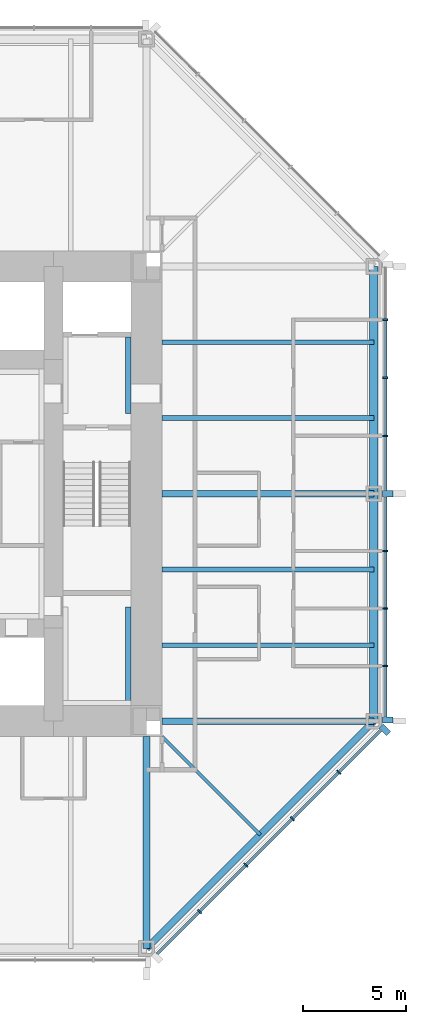
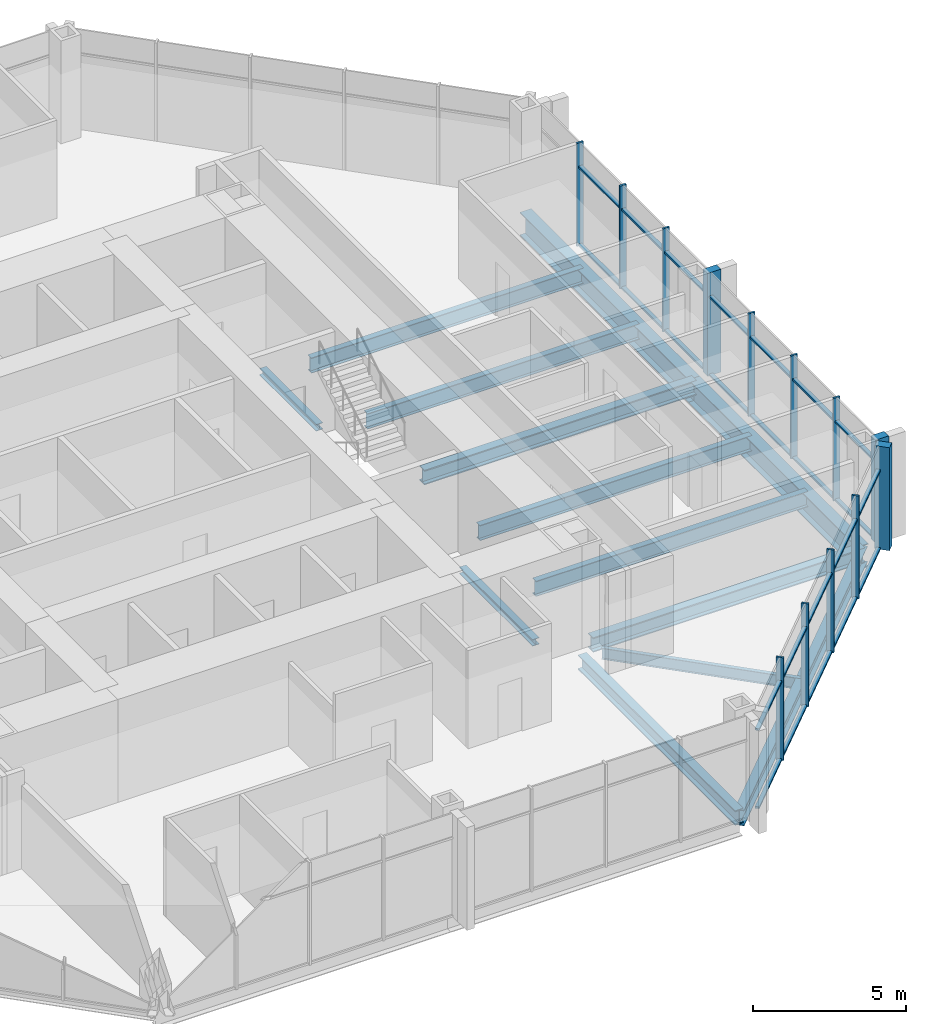
# One storey, part 4 of 12: 37 members, 13 beams, 2 elements without a shape of their own.
"""IFC4 building model written with IfcOpenShell, lengths in metres."""

from ifc_helpers import new_model, si_unit, direction, frame, origin, origin_2d, place, context, subcontext, project, spatial, rectangle, i_section, extrude, material, material_profile, profile_set, type_object, element, aggregate, save


model = new_model("IFC4")

# Units and contexts
model_context = context("Model", 3, precision=1e-05, world=origin(), true_north=direction((0.0, 1.0)))
body_context = subcontext(model_context, "Body", "Model", "MODEL_VIEW")
ifc_project = project(units=[si_unit("LENGTHUNIT", "METRE"), si_unit("AREAUNIT", "SQUARE_METRE"), si_unit("VOLUMEUNIT", "CUBIC_METRE"), si_unit("PLANEANGLEUNIT", "RADIAN"), si_unit("MASSUNIT", "GRAM", prefix="KILO")], contexts=[model_context])

# Site, building, storey
site_placement = place(None, origin())
site = spatial("IfcSite", under=ifc_project, at=site_placement, CompositionType="ELEMENT")
building_placement = place(site_placement, origin())
building = spatial("IfcBuilding", under=site, at=building_placement, Name="Trevanion Tower", CompositionType="ELEMENT")
storey_placement = place(building_placement, frame((0.0, 0.0, 113.10009765625)))
storey = spatial("IfcBuildingStorey", under=building, at=storey_placement, Name="L26", CompositionType="ELEMENT", Elevation=113.10009765625)

# Beams
ifc_material_1 = material(Name="Steel ASTM A992 Grade 50", Category="steel")
ifc_material_profile_1 = material_profile(ifc_material_1, i_section(OverallWidth=0.22900390625, OverallDepth=0.612060546875, WebThickness=0.011962890625, FlangeThickness=0.01953125, at=origin_2d()), Name="W24X84")
ifc_profile_set_1 = profile_set([ifc_material_profile_1], Name="Steel ASTM A992 Grade 50")
beam_type_1 = type_object("IfcBeamType", Name="B7 W24X84", PredefinedType="BEAM", material=ifc_profile_set_1)
for number, where, z_axis, x_axis, name in (
    (1, (11.75, -7.333251953125, -0.49609375), (1.0, 0.0, 0.0), (0.0, 1.0, 0.0), "B7 L26"),
    (2, (11.75, -3.666748046875, -0.49609375), (1.0, 0.0, 0.0), (0.0, 1.0, 0.0), "B7 L26"),
    (3, (11.75, 3.666748046875, -0.49609375), (1.0, 0.0, 0.0), (0.0, 1.0, 0.0), "B7 L26"),
    (4, (11.75, 7.333251953125, -0.49609375), (1.0, 0.0, 0.0), (0.0, 1.0, 0.0), "B7 L26"),
):
    element("IfcBeam", number, at=place(storey_placement, frame(where, z_axis=z_axis, x_axis=x_axis)), inside=storey, type_object=beam_type_1, Name=name, PredefinedType="BEAM", context=body_context, shape_type="SweptSolid", body=[
        extrude(i_section(OverallWidth=0.22900390625, OverallDepth=0.612060546875, WebThickness=0.011962890625, FlangeThickness=0.01953125, at=origin_2d()), origin(), (0.0, 0.0, 1.0), 10.25),
    ])
ifc_material_2 = material(Name="Steel ASTM A992 Grade 50", Category="steel")
ifc_material_profile_2 = material_profile(ifc_material_2, i_section(OverallWidth=0.15234375, OverallDepth=0.449462890625, WebThickness=0.007568359375, FlangeThickness=0.0107421875, at=origin_2d()), Name="W18X35")
ifc_profile_set_2 = profile_set([ifc_material_profile_2], Name="Steel ASTM A992 Grade 50")
beam_type_2 = type_object("IfcBeamType", Name="B8 W18X35", PredefinedType="BEAM", material=ifc_profile_set_2)
beam_1_placement = place(storey_placement, frame((11.75, -11.75, -0.414794921875), z_axis=(0.707106781187, -0.707106781187, 0.0), x_axis=(0.707106781187, 0.707106781187, 0.0)))
element("IfcBeam", 5, at=beam_1_placement, inside=storey, type_object=beam_type_2, Name="B8 L26", PredefinedType="BEAM", context=body_context, shape_type="SweptSolid", body=[
    extrude(i_section(OverallWidth=0.15234375, OverallDepth=0.449462890625, WebThickness=0.007568359375, FlangeThickness=0.0107421875, at=origin_2d()), origin(), (0.0, 0.0, 1.0), 6.717529296875),
])

# Curtain wall, members
ifc_material_3 = material(Name="Aluminium and glass", Category="aluminium")
curtain_wall_type = type_object("IfcCurtainWallType", Name="CW2 curtain wall", PredefinedType="USERDEFINED", material=ifc_material_3)
curtain_wall_1_placement = place(storey_placement, origin())
curtain_wall_1 = element("IfcCurtainWall", 6, at=curtain_wall_1_placement, inside=storey, type_object=curtain_wall_type, Name="CW2 L26 0", ObjectType="UNITISED CURTAIN WALL", PredefinedType="USERDEFINED")
ifc_material_4 = material(Name="Aluminium extrusion, anodised bronze", Category="aluminium")
ifc_material_profile_3 = material_profile(ifc_material_4, rectangle(XDim=0.074951171875, YDim=0.25, at=origin_2d()), Name="CW2 mullion")
ifc_profile_set_3 = profile_set([ifc_material_profile_3], Name="Aluminium extrusion, anodised bronze")
member_type_1 = type_object("IfcMemberType", Name="CW2 mullion", PredefinedType="MULLION", material=ifc_profile_set_3)
member_1_placement = place(storey_placement, frame((22.550048828125, -8.323486328125, -0.190185546875), z_axis=(0.0, 0.0, 1.0), x_axis=(0.0, 1.0, 0.0)))
member_1 = element("IfcMember", 7, at=member_1_placement, type_object=member_type_1, Name="CW2 mullion 2", PredefinedType="MULLION", context=body_context, shape_type="SweptSolid", body=[
    extrude(rectangle(XDim=0.074951171875, YDim=0.25, at=origin_2d()), origin(), (0.0, 0.0, 1.0), 4.10009765625),
])
member_2_placement = place(storey_placement, frame((22.550048828125, -5.548828125, -0.190185546875), z_axis=(0.0, 0.0, 1.0), x_axis=(0.0, 1.0, 0.0)))
member_2 = element("IfcMember", 8, at=member_2_placement, type_object=member_type_1, Name="CW2 mullion 3", PredefinedType="MULLION", context=body_context, shape_type="SweptSolid", body=[
    extrude(rectangle(XDim=0.074951171875, YDim=0.25, at=origin_2d()), origin(), (0.0, 0.0, 1.0), 4.10009765625),
])
member_3_placement = place(storey_placement, frame((22.550048828125, -2.7744140625, -0.190185546875), z_axis=(0.0, 0.0, 1.0), x_axis=(0.0, 1.0, 0.0)))
member_3 = element("IfcMember", 9, at=member_3_placement, type_object=member_type_1, Name="CW2 mullion 4", PredefinedType="MULLION", context=body_context, shape_type="SweptSolid", body=[
    extrude(rectangle(XDim=0.074951171875, YDim=0.25, at=origin_2d()), origin(), (0.0, 0.0, 1.0), 4.10009765625),
])
member_4_placement = place(storey_placement, frame((22.550048828125, 2.806884765625, -0.190185546875), z_axis=(0.0, 0.0, 1.0), x_axis=(0.0, 1.0, 0.0)))
member_4 = element("IfcMember", 10, at=member_4_placement, type_object=member_type_1, Name="CW2 mullion 6", PredefinedType="MULLION", context=body_context, shape_type="SweptSolid", body=[
    extrude(rectangle(XDim=0.074951171875, YDim=0.25, at=origin_2d()), origin(), (0.0, 0.0, 1.0), 4.10009765625),
])
member_5_placement = place(storey_placement, frame((22.550048828125, 5.614013671875, -0.190185546875), z_axis=(0.0, 0.0, 1.0), x_axis=(0.0, 1.0, 0.0)))
member_5 = element("IfcMember", 11, at=member_5_placement, type_object=member_type_1, Name="CW2 mullion 7", PredefinedType="MULLION", context=body_context, shape_type="SweptSolid", body=[
    extrude(rectangle(XDim=0.074951171875, YDim=0.25, at=origin_2d()), origin(), (0.0, 0.0, 1.0), 4.10009765625),
])
member_6_placement = place(storey_placement, frame((22.550048828125, 8.4208984375, -0.190185546875), z_axis=(0.0, 0.0, 1.0), x_axis=(0.0, 1.0, 0.0)))
member_6 = element("IfcMember", 12, at=member_6_placement, type_object=member_type_1, Name="CW2 mullion 8", PredefinedType="MULLION", context=body_context, shape_type="SweptSolid", body=[
    extrude(rectangle(XDim=0.074951171875, YDim=0.25, at=origin_2d()), origin(), (0.0, 0.0, 1.0), 4.10009765625),
])

curtain_wall_2_placement = place(storey_placement, origin())
curtain_wall_2 = element("IfcCurtainWall", 13, at=curtain_wall_2_placement, inside=storey, type_object=curtain_wall_type, Name="CW2 L26 7", ObjectType="UNITISED CURTAIN WALL", PredefinedType="USERDEFINED")
member_7_placement = place(storey_placement, frame((13.56591796875, -20.2119140625, -0.190185546875), z_axis=(0.0, 0.0, 1.0), x_axis=(0.707106781187, 0.707106781187, 0.0)))
member_7 = element("IfcMember", 14, at=member_7_placement, type_object=member_type_1, Name="CW2 mullion 2", PredefinedType="MULLION", context=body_context, shape_type="SweptSolid", body=[
    extrude(rectangle(XDim=0.074951171875, YDim=0.25, at=origin_2d()), origin(), (0.0, 0.0, 1.0), 4.10009765625),
])
member_8_placement = place(storey_placement, frame((15.811767578125, -17.966064453125, -0.190185546875), z_axis=(0.0, 0.0, 1.0), x_axis=(0.707106781187, 0.707106781187, 0.0)))
member_8 = element("IfcMember", 15, at=member_8_placement, type_object=member_type_1, Name="CW2 mullion 3", PredefinedType="MULLION", context=body_context, shape_type="SweptSolid", body=[
    extrude(rectangle(XDim=0.074951171875, YDim=0.25, at=origin_2d()), origin(), (0.0, 0.0, 1.0), 4.10009765625),
])
member_9_placement = place(storey_placement, frame((18.057861328125, -15.719970703125, -0.190185546875), z_axis=(0.0, 0.0, 1.0), x_axis=(0.707106781187, 0.707106781187, 0.0)))
member_9 = element("IfcMember", 16, at=member_9_placement, type_object=member_type_1, Name="CW2 mullion 4", PredefinedType="MULLION", context=body_context, shape_type="SweptSolid", body=[
    extrude(rectangle(XDim=0.074951171875, YDim=0.25, at=origin_2d()), origin(), (0.0, 0.0, 1.0), 4.10009765625),
])
member_10_placement = place(storey_placement, frame((20.303955078125, -13.473876953125, -0.190185546875), z_axis=(0.0, 0.0, 1.0), x_axis=(0.707106781187, 0.707106781187, 0.0)))
member_10 = element("IfcMember", 17, at=member_10_placement, type_object=member_type_1, Name="CW2 mullion 5", PredefinedType="MULLION", context=body_context, shape_type="SweptSolid", body=[
    extrude(rectangle(XDim=0.074951171875, YDim=0.25, at=origin_2d()), origin(), (0.0, 0.0, 1.0), 4.10009765625),
])

# Member
ifc_material_5 = material(Name="Aluminium extrusion, anodised bronze", Category="aluminium")
ifc_material_profile_4 = material_profile(ifc_material_5, rectangle(XDim=0.300048828125, YDim=0.5, at=origin_2d()), Name="CW2 pier mullion")
ifc_profile_set_4 = profile_set([ifc_material_profile_4], Name="Aluminium extrusion, anodised bronze")
member_type_2 = type_object("IfcMemberType", Name="CW2 pier mullion", PredefinedType="MULLION", material=ifc_profile_set_4)
member_11_placement = place(storey_placement, frame((22.675048828125, -10.94775390625, -0.190185546875), z_axis=(0.0, 0.0, 1.0), x_axis=(0.0, 1.0, 0.0)))
member_11 = element("IfcMember", 18, at=member_11_placement, type_object=member_type_2, Name="CW2 pier mullion 1", PredefinedType="MULLION", context=body_context, shape_type="SweptSolid", body=[
    extrude(rectangle(XDim=0.300048828125, YDim=0.5, at=origin_2d()), origin(), (0.0, 0.0, 1.0), 4.10009765625),
])

member_12_placement = place(storey_placement, frame((22.675048828125, 0.0, -0.190185546875), z_axis=(0.0, 0.0, 1.0), x_axis=(0.0, 1.0, 0.0)))
member_12 = element("IfcMember", 19, at=member_12_placement, type_object=member_type_2, Name="CW2 pier mullion 5", PredefinedType="MULLION", context=body_context, shape_type="SweptSolid", body=[
    extrude(rectangle(XDim=0.300048828125, YDim=0.5, at=origin_2d()), origin(), (0.0, 0.0, 1.0), 4.10009765625),
])

member_13_placement = place(storey_placement, frame((22.5322265625, -11.42236328125, -0.190185546875), z_axis=(0.0, 0.0, 1.0), x_axis=(0.707106781187, 0.707106781187, 0.0)))
member_13 = element("IfcMember", 20, at=member_13_placement, type_object=member_type_2, Name="CW2 pier mullion 6", PredefinedType="MULLION", context=body_context, shape_type="SweptSolid", body=[
    extrude(rectangle(XDim=0.300048828125, YDim=0.5, at=origin_2d()), origin(), (0.0, 0.0, 1.0), 4.10009765625),
])

ifc_material_6 = material(Name="Aluminium extrusion, anodised bronze", Category="aluminium")
ifc_material_profile_5 = material_profile(ifc_material_6, rectangle(XDim=0.14990234375, YDim=0.074951171875, at=origin_2d()), Name="CW2 transom")
ifc_profile_set_5 = profile_set([ifc_material_profile_5], Name="Aluminium extrusion, anodised bronze")
member_type_3 = type_object("IfcMemberType", Name="CW2 transom", PredefinedType="USERDEFINED", material=ifc_profile_set_5)
member_14_placement = place(storey_placement, frame((22.550048828125, -10.7978515625, -0.152587890625), z_axis=(0.0, 1.0, 0.0), x_axis=(-1.0, 0.0, 0.0)))
member_14 = element("IfcMember", 21, at=member_14_placement, type_object=member_type_3, Name="CW2 transom 1.1", ObjectType="TRANSOM", PredefinedType="USERDEFINED", context=body_context, shape_type="SweptSolid", body=[
    extrude(rectangle(XDim=0.14990234375, YDim=0.074951171875, at=origin_2d()), origin(), (0.0, 0.0, 1.0), 2.43701171875),
])

member_15_placement = place(storey_placement, frame((22.550048828125, -10.7978515625, 2.9599609375), z_axis=(0.0, 1.0, 0.0), x_axis=(-1.0, 0.0, 0.0)))
member_15 = element("IfcMember", 22, at=member_15_placement, type_object=member_type_3, Name="CW2 transom 1.2", ObjectType="TRANSOM", PredefinedType="USERDEFINED", context=body_context, shape_type="SweptSolid", body=[
    extrude(rectangle(XDim=0.14990234375, YDim=0.074951171875, at=origin_2d()), origin(), (0.0, 0.0, 1.0), 2.43701171875),
])

member_16_placement = place(storey_placement, frame((22.550048828125, -8.285888671875, -0.152587890625), z_axis=(0.0, 1.0, 0.0), x_axis=(-1.0, 0.0, 0.0)))
member_16 = element("IfcMember", 23, at=member_16_placement, type_object=member_type_3, Name="CW2 transom 2.1", ObjectType="TRANSOM", PredefinedType="USERDEFINED", context=body_context, shape_type="SweptSolid", body=[
    extrude(rectangle(XDim=0.14990234375, YDim=0.074951171875, at=origin_2d()), origin(), (0.0, 0.0, 1.0), 2.699462890625),
])

member_17_placement = place(storey_placement, frame((22.550048828125, -8.285888671875, 2.9599609375), z_axis=(0.0, 1.0, 0.0), x_axis=(-1.0, 0.0, 0.0)))
member_17 = element("IfcMember", 24, at=member_17_placement, type_object=member_type_3, Name="CW2 transom 2.2", ObjectType="TRANSOM", PredefinedType="USERDEFINED", context=body_context, shape_type="SweptSolid", body=[
    extrude(rectangle(XDim=0.14990234375, YDim=0.074951171875, at=origin_2d()), origin(), (0.0, 0.0, 1.0), 2.699462890625),
])

member_18_placement = place(storey_placement, frame((22.550048828125, -5.511474609375, -0.152587890625), z_axis=(0.0, 1.0, 0.0), x_axis=(-1.0, 0.0, 0.0)))
member_18 = element("IfcMember", 25, at=member_18_placement, type_object=member_type_3, Name="CW2 transom 3.1", ObjectType="TRANSOM", PredefinedType="USERDEFINED", context=body_context, shape_type="SweptSolid", body=[
    extrude(rectangle(XDim=0.14990234375, YDim=0.074951171875, at=origin_2d()), origin(), (0.0, 0.0, 1.0), 2.699462890625),
])

member_19_placement = place(storey_placement, frame((22.550048828125, -5.511474609375, 2.9599609375), z_axis=(0.0, 1.0, 0.0), x_axis=(-1.0, 0.0, 0.0)))
member_19 = element("IfcMember", 26, at=member_19_placement, type_object=member_type_3, Name="CW2 transom 3.2", ObjectType="TRANSOM", PredefinedType="USERDEFINED", context=body_context, shape_type="SweptSolid", body=[
    extrude(rectangle(XDim=0.14990234375, YDim=0.074951171875, at=origin_2d()), origin(), (0.0, 0.0, 1.0), 2.699462890625),
])

member_20_placement = place(storey_placement, frame((22.550048828125, -2.737060546875, -0.152587890625), z_axis=(0.0, 1.0, 0.0), x_axis=(-1.0, 0.0, 0.0)))
member_20 = element("IfcMember", 27, at=member_20_placement, type_object=member_type_3, Name="CW2 transom 4.1", ObjectType="TRANSOM", PredefinedType="USERDEFINED", context=body_context, shape_type="SweptSolid", body=[
    extrude(rectangle(XDim=0.14990234375, YDim=0.074951171875, at=origin_2d()), origin(), (0.0, 0.0, 1.0), 2.587158203125),
])

member_21_placement = place(storey_placement, frame((22.550048828125, -2.737060546875, 2.9599609375), z_axis=(0.0, 1.0, 0.0), x_axis=(-1.0, 0.0, 0.0)))
member_21 = element("IfcMember", 28, at=member_21_placement, type_object=member_type_3, Name="CW2 transom 4.2", ObjectType="TRANSOM", PredefinedType="USERDEFINED", context=body_context, shape_type="SweptSolid", body=[
    extrude(rectangle(XDim=0.14990234375, YDim=0.074951171875, at=origin_2d()), origin(), (0.0, 0.0, 1.0), 2.587158203125),
])

member_22_placement = place(storey_placement, frame((22.550048828125, 0.14990234375, -0.152587890625), z_axis=(0.0, 1.0, 0.0), x_axis=(-1.0, 0.0, 0.0)))
member_22 = element("IfcMember", 29, at=member_22_placement, type_object=member_type_3, Name="CW2 transom 5.1", ObjectType="TRANSOM", PredefinedType="USERDEFINED", context=body_context, shape_type="SweptSolid", body=[
    extrude(rectangle(XDim=0.14990234375, YDim=0.074951171875, at=origin_2d()), origin(), (0.0, 0.0, 1.0), 2.619384765625),
])

member_23_placement = place(storey_placement, frame((22.550048828125, 0.14990234375, 2.9599609375), z_axis=(0.0, 1.0, 0.0), x_axis=(-1.0, 0.0, 0.0)))
member_23 = element("IfcMember", 30, at=member_23_placement, type_object=member_type_3, Name="CW2 transom 5.2", ObjectType="TRANSOM", PredefinedType="USERDEFINED", context=body_context, shape_type="SweptSolid", body=[
    extrude(rectangle(XDim=0.14990234375, YDim=0.074951171875, at=origin_2d()), origin(), (0.0, 0.0, 1.0), 2.619384765625),
])

member_24_placement = place(storey_placement, frame((22.550048828125, 2.844482421875, -0.152587890625), z_axis=(0.0, 1.0, 0.0), x_axis=(-1.0, 0.0, 0.0)))
member_24 = element("IfcMember", 31, at=member_24_placement, type_object=member_type_3, Name="CW2 transom 6.1", ObjectType="TRANSOM", PredefinedType="USERDEFINED", context=body_context, shape_type="SweptSolid", body=[
    extrude(rectangle(XDim=0.14990234375, YDim=0.074951171875, at=origin_2d()), origin(), (0.0, 0.0, 1.0), 2.73193359375),
])

member_25_placement = place(storey_placement, frame((22.550048828125, 2.844482421875, 2.9599609375), z_axis=(0.0, 1.0, 0.0), x_axis=(-1.0, 0.0, 0.0)))
member_25 = element("IfcMember", 32, at=member_25_placement, type_object=member_type_3, Name="CW2 transom 6.2", ObjectType="TRANSOM", PredefinedType="USERDEFINED", context=body_context, shape_type="SweptSolid", body=[
    extrude(rectangle(XDim=0.14990234375, YDim=0.074951171875, at=origin_2d()), origin(), (0.0, 0.0, 1.0), 2.73193359375),
])

member_26_placement = place(storey_placement, frame((22.550048828125, 5.6513671875, -0.152587890625), z_axis=(0.0, 1.0, 0.0), x_axis=(-1.0, 0.0, 0.0)))
member_26 = element("IfcMember", 33, at=member_26_placement, type_object=member_type_3, Name="CW2 transom 7.1", ObjectType="TRANSOM", PredefinedType="USERDEFINED", context=body_context, shape_type="SweptSolid", body=[
    extrude(rectangle(XDim=0.14990234375, YDim=0.074951171875, at=origin_2d()), origin(), (0.0, 0.0, 1.0), 2.73193359375),
])

member_27_placement = place(storey_placement, frame((22.550048828125, 5.6513671875, 2.9599609375), z_axis=(0.0, 1.0, 0.0), x_axis=(-1.0, 0.0, 0.0)))
member_27 = element("IfcMember", 34, at=member_27_placement, type_object=member_type_3, Name="CW2 transom 7.2", ObjectType="TRANSOM", PredefinedType="USERDEFINED", context=body_context, shape_type="SweptSolid", body=[
    extrude(rectangle(XDim=0.14990234375, YDim=0.074951171875, at=origin_2d()), origin(), (0.0, 0.0, 1.0), 2.73193359375),
])

aggregate(curtain_wall_1, [member_11, member_1, member_2, member_3, member_12, member_4, member_5, member_6, member_14, member_15, member_16, member_17, member_18, member_19, member_20, member_21, member_22, member_23, member_24, member_25, member_26, member_27])

member_28_placement = place(storey_placement, frame((11.531982421875, -22.245849609375, -0.152587890625), z_axis=(0.707106781187, 0.707106781187, 0.0), x_axis=(-0.707106781187, 0.707106781187, 0.0)))
member_28 = element("IfcMember", 35, at=member_28_placement, type_object=member_type_3, Name="CW2 transom 1.1", ObjectType="TRANSOM", PredefinedType="USERDEFINED", context=body_context, shape_type="SweptSolid", body=[
    extrude(rectangle(XDim=0.14990234375, YDim=0.074951171875, at=origin_2d()), origin(), (0.0, 0.0, 1.0), 2.8388671875),
])

member_29_placement = place(storey_placement, frame((11.531982421875, -22.245849609375, 2.9599609375), z_axis=(0.707106781187, 0.707106781187, 0.0), x_axis=(-0.707106781187, 0.707106781187, 0.0)))
member_29 = element("IfcMember", 36, at=member_29_placement, type_object=member_type_3, Name="CW2 transom 1.2", ObjectType="TRANSOM", PredefinedType="USERDEFINED", context=body_context, shape_type="SweptSolid", body=[
    extrude(rectangle(XDim=0.14990234375, YDim=0.074951171875, at=origin_2d()), origin(), (0.0, 0.0, 1.0), 2.8388671875),
])

member_30_placement = place(storey_placement, frame((13.59228515625, -20.185546875, -0.152587890625), z_axis=(0.707106781187, 0.707106781187, 0.0), x_axis=(-0.707106781187, 0.707106781187, 0.0)))
member_30 = element("IfcMember", 37, at=member_30_placement, type_object=member_type_3, Name="CW2 transom 2.1", ObjectType="TRANSOM", PredefinedType="USERDEFINED", context=body_context, shape_type="SweptSolid", body=[
    extrude(rectangle(XDim=0.14990234375, YDim=0.074951171875, at=origin_2d()), origin(), (0.0, 0.0, 1.0), 3.1015625),
])

member_31_placement = place(storey_placement, frame((13.59228515625, -20.185546875, 2.9599609375), z_axis=(0.707106781187, 0.707106781187, 0.0), x_axis=(-0.707106781187, 0.707106781187, 0.0)))
member_31 = element("IfcMember", 38, at=member_31_placement, type_object=member_type_3, Name="CW2 transom 2.2", ObjectType="TRANSOM", PredefinedType="USERDEFINED", context=body_context, shape_type="SweptSolid", body=[
    extrude(rectangle(XDim=0.14990234375, YDim=0.074951171875, at=origin_2d()), origin(), (0.0, 0.0, 1.0), 3.1015625),
])

member_32_placement = place(storey_placement, frame((15.83837890625, -17.939453125, -0.152587890625), z_axis=(0.707106781187, 0.707106781187, 0.0), x_axis=(-0.707106781187, 0.707106781187, 0.0)))
member_32 = element("IfcMember", 39, at=member_32_placement, type_object=member_type_3, Name="CW2 transom 3.1", ObjectType="TRANSOM", PredefinedType="USERDEFINED", context=body_context, shape_type="SweptSolid", body=[
    extrude(rectangle(XDim=0.14990234375, YDim=0.074951171875, at=origin_2d()), origin(), (0.0, 0.0, 1.0), 3.1015625),
])

member_33_placement = place(storey_placement, frame((15.83837890625, -17.939453125, 2.9599609375), z_axis=(0.707106781187, 0.707106781187, 0.0), x_axis=(-0.707106781187, 0.707106781187, 0.0)))
member_33 = element("IfcMember", 40, at=member_33_placement, type_object=member_type_3, Name="CW2 transom 3.2", ObjectType="TRANSOM", PredefinedType="USERDEFINED", context=body_context, shape_type="SweptSolid", body=[
    extrude(rectangle(XDim=0.14990234375, YDim=0.074951171875, at=origin_2d()), origin(), (0.0, 0.0, 1.0), 3.1015625),
])

member_34_placement = place(storey_placement, frame((18.08447265625, -15.693359375, -0.152587890625), z_axis=(0.707106781187, 0.707106781187, 0.0), x_axis=(-0.707106781187, 0.707106781187, 0.0)))
member_34 = element("IfcMember", 41, at=member_34_placement, type_object=member_type_3, Name="CW2 transom 4.1", ObjectType="TRANSOM", PredefinedType="USERDEFINED", context=body_context, shape_type="SweptSolid", body=[
    extrude(rectangle(XDim=0.14990234375, YDim=0.074951171875, at=origin_2d()), origin(), (0.0, 0.0, 1.0), 3.10107421875),
])

member_35_placement = place(storey_placement, frame((18.08447265625, -15.693359375, 2.9599609375), z_axis=(0.707106781187, 0.707106781187, 0.0), x_axis=(-0.707106781187, 0.707106781187, 0.0)))
member_35 = element("IfcMember", 42, at=member_35_placement, type_object=member_type_3, Name="CW2 transom 4.2", ObjectType="TRANSOM", PredefinedType="USERDEFINED", context=body_context, shape_type="SweptSolid", body=[
    extrude(rectangle(XDim=0.14990234375, YDim=0.074951171875, at=origin_2d()), origin(), (0.0, 0.0, 1.0), 3.10107421875),
])

member_36_placement = place(storey_placement, frame((20.33056640625, -13.447509765625, -0.152587890625), z_axis=(0.707063781595, 0.707149778163, 0.0), x_axis=(-0.707149778163, 0.707063781595, 0.0)))
member_36 = element("IfcMember", 43, at=member_36_placement, type_object=member_type_3, Name="CW2 transom 5.1", ObjectType="TRANSOM", PredefinedType="USERDEFINED", context=body_context, shape_type="SweptSolid", body=[
    extrude(rectangle(XDim=0.14990234375, YDim=0.074951171875, at=origin_2d()), origin(), (0.0, 0.0, 1.0), 2.8388671875),
])

member_37_placement = place(storey_placement, frame((20.33056640625, -13.447509765625, 2.9599609375), z_axis=(0.707063781595, 0.707149778163, 0.0), x_axis=(-0.707149778163, 0.707063781595, 0.0)))
member_37 = element("IfcMember", 44, at=member_37_placement, type_object=member_type_3, Name="CW2 transom 5.2", ObjectType="TRANSOM", PredefinedType="USERDEFINED", context=body_context, shape_type="SweptSolid", body=[
    extrude(rectangle(XDim=0.14990234375, YDim=0.074951171875, at=origin_2d()), origin(), (0.0, 0.0, 1.0), 2.8388671875),
])

aggregate(curtain_wall_2, [member_7, member_8, member_9, member_10, member_13, member_28, member_29, member_30, member_31, member_32, member_33, member_34, member_35, member_36, member_37])

# Beams
ifc_material_7 = material(Name="Steel ASTM A992 Grade 50", Category="steel")
ifc_material_profile_6 = material_profile(ifc_material_7, i_section(OverallWidth=0.320068359375, OverallDepth=0.584228515625, WebThickness=0.023193359375, FlangeThickness=0.04150390625, at=origin_2d()), Name="W21X201")
ifc_profile_set_6 = profile_set([ifc_material_profile_6], Name="Steel ASTM A992 Grade 50")
beam_type_3 = type_object("IfcBeamType", Name="G4 W21X201", PredefinedType="BEAM", material=ifc_profile_set_6)
for number, where, z_axis, x_axis, name in (
    (45, (11.75, -11.0, -0.482177734375), (1.0, 0.0, 0.0), (0.0, 1.0, 0.0), "G4 L26"),
    (46, (11.75, 0.0, -0.482177734375), (1.0, 0.0, 0.0), (0.0, 1.0, 0.0), "G4 L26"),
    (47, (11.0, -11.75, -0.482177734375), (0.0, -1.0, 0.0), (1.0, 0.0, 0.0), "G4 L26"),
):
    element("IfcBeam", number, at=place(storey_placement, frame(where, z_axis=z_axis, x_axis=x_axis)), inside=storey, type_object=beam_type_3, Name=name, PredefinedType="BEAM", context=body_context, shape_type="SweptSolid", body=[
        extrude(i_section(OverallWidth=0.320068359375, OverallDepth=0.584228515625, WebThickness=0.023193359375, FlangeThickness=0.04150390625, at=origin_2d()), origin(), (0.0, 0.0, 1.0), 10.25),
    ])
ifc_material_8 = material(Name="Steel ASTM A992 Grade 50", Category="steel")
ifc_material_profile_7 = material_profile(ifc_material_8, i_section(OverallWidth=0.256591796875, OverallDepth=0.26416015625, WebThickness=0.011962890625, FlangeThickness=0.01953125, at=origin_2d()), Name="W10X68")
ifc_profile_set_7 = profile_set([ifc_material_profile_7], Name="Steel ASTM A992 Grade 50")
beam_type_4 = type_object("IfcBeamType", Name="LB1 W10X68", PredefinedType="BEAM", material=ifc_profile_set_7)
beam_2_placement = place(storey_placement, frame((10.12158203125, 3.875, -0.332275390625), z_axis=(0.0, 1.0, 0.0), x_axis=(-1.0, 0.0, 0.0)))
element("IfcBeam", 48, at=beam_2_placement, inside=storey, type_object=beam_type_4, Name="LB1 L26", PredefinedType="BEAM", context=body_context, shape_type="SweptSolid", body=[
    extrude(i_section(OverallWidth=0.256591796875, OverallDepth=0.26416015625, WebThickness=0.011962890625, FlangeThickness=0.01953125, at=origin_2d()), origin(), (0.0, 0.0, 1.0), 3.699951171875),
])
beam_3_placement = place(storey_placement, frame((10.12158203125, -10.25, -0.332275390625), z_axis=(0.0, 1.0, 0.0), x_axis=(-1.0, 0.0, 0.0)))
element("IfcBeam", 49, at=beam_3_placement, inside=storey, type_object=beam_type_4, Name="LB1 L26", PredefinedType="BEAM", context=body_context, shape_type="SweptSolid", body=[
    extrude(i_section(OverallWidth=0.256591796875, OverallDepth=0.26416015625, WebThickness=0.011962890625, FlangeThickness=0.01953125, at=origin_2d()), origin(), (0.0, 0.0, 1.0), 4.77490234375),
])
ifc_material_9 = material(Name="Steel ASTM A992 Grade 50", Category="steel")
ifc_material_profile_8 = material_profile(ifc_material_9, i_section(OverallWidth=0.419189453125, OverallDepth=0.927001953125, WebThickness=0.019287109375, FlangeThickness=0.031982421875, at=origin_2d()), Name="W36X231")
ifc_profile_set_8 = profile_set([ifc_material_profile_8], Name="Steel ASTM A992 Grade 50")
beam_type_5 = type_object("IfcBeamType", Name="SB4 W36X231", PredefinedType="SPANDREL", material=ifc_profile_set_8)
for number, where, z_axis, x_axis, name in (
    (50, (22.0, -11.0, -0.65380859375), (0.0, 1.0, 0.0), (-1.0, 0.0, 0.0), "SB4 L26"),
    (51, (22.0, 0.0, -0.65380859375), (0.0, 1.0, 0.0), (-1.0, 0.0, 0.0), "SB4 L26"),
):
    element("IfcBeam", number, at=place(storey_placement, frame(where, z_axis=z_axis, x_axis=x_axis)), inside=storey, type_object=beam_type_5, Name=name, PredefinedType="SPANDREL", context=body_context, shape_type="SweptSolid", body=[
        extrude(i_section(OverallWidth=0.419189453125, OverallDepth=0.927001953125, WebThickness=0.019287109375, FlangeThickness=0.031982421875, at=origin_2d()), origin(), (0.0, 0.0, 1.0), 11.0),
    ])
ifc_material_10 = material(Name="Steel ASTM A992 Grade 50", Category="steel")
ifc_material_profile_9 = material_profile(ifc_material_10, i_section(OverallWidth=0.32763671875, OverallDepth=0.62744140625, WebThickness=0.0166015625, FlangeThickness=0.027587890625, at=origin_2d()), Name="W24X146")
ifc_profile_set_9 = profile_set([ifc_material_profile_9], Name="Steel ASTM A992 Grade 50")
beam_type_6 = type_object("IfcBeamType", Name="SB5 W24X146", PredefinedType="SPANDREL", material=ifc_profile_set_9)
beam_4_placement = place(storey_placement, frame((11.0, -22.0, -0.50390625), z_axis=(0.707106781187, 0.707106781187, 0.0), x_axis=(-0.707106781187, 0.707106781187, 0.0)))
element("IfcBeam", 52, at=beam_4_placement, inside=storey, type_object=beam_type_6, Name="SB5 L26", PredefinedType="SPANDREL", context=body_context, shape_type="SweptSolid", body=[
    extrude(i_section(OverallWidth=0.32763671875, OverallDepth=0.62744140625, WebThickness=0.0166015625, FlangeThickness=0.027587890625, at=origin_2d()), origin(), (0.0, 0.0, 1.0), 15.556396484375),
])

save(model, "model.ifc")
